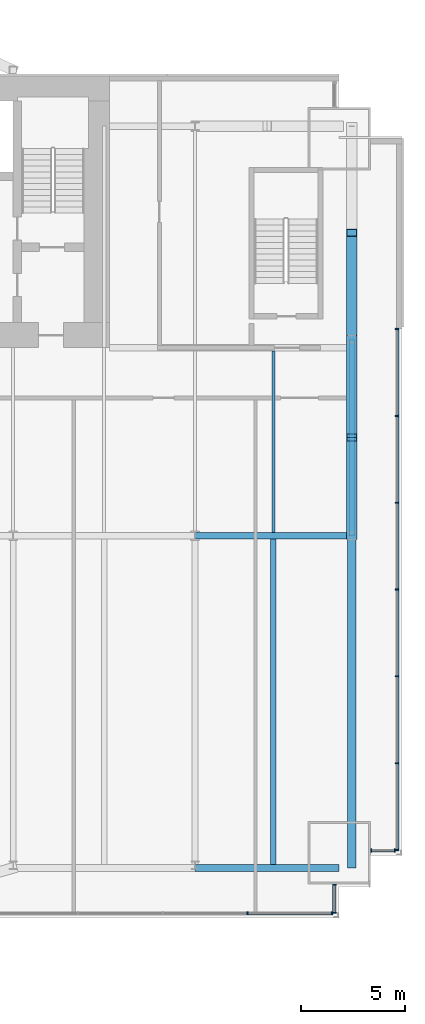
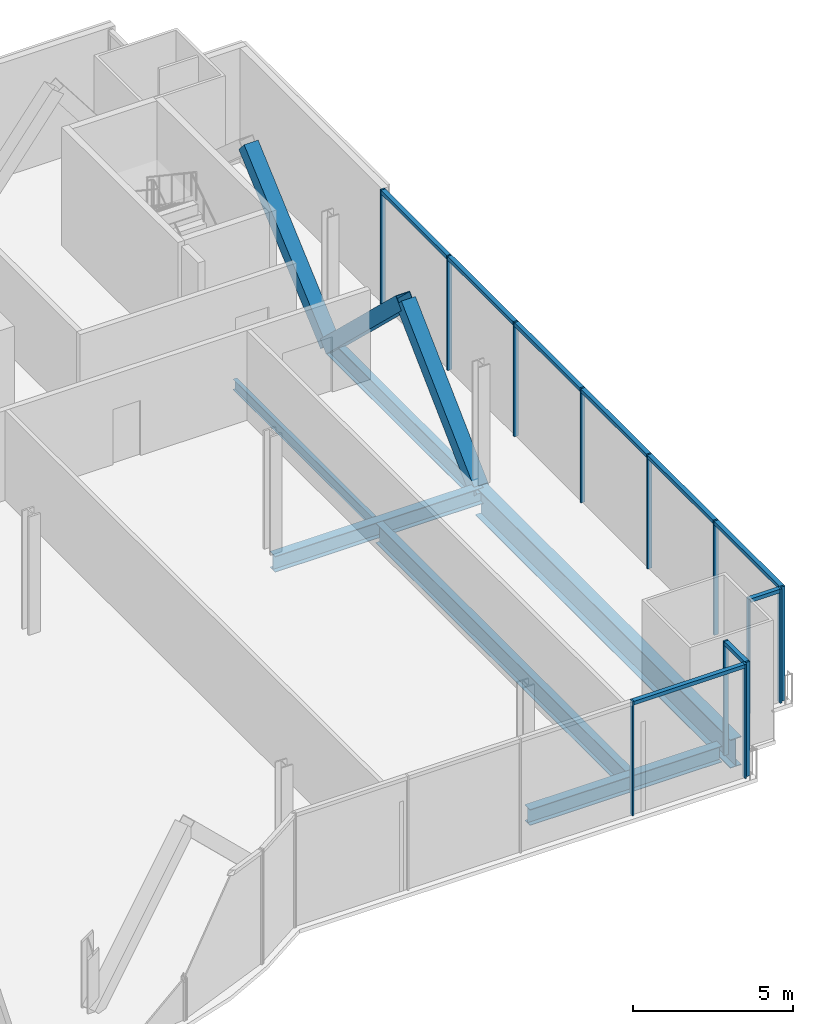
# One storey, part 12 of 21: 25 members, 6 beams, 4 elements without a shape of their own.
"""IFC4 building model written with IfcOpenShell, lengths in metres."""

import ifcopenshell
import ifcopenshell.guid

model = None  # the IFC model being written
_history = None  # IfcOwnerHistory: only IFC2X3 demands one
_inside = {}  # id of a spatial element -> (the spatial element, [elements in it])
_under = {}  # id of a project, library or spatial element -> (it, [spatial elements below it])
_declared = {}  # id of a project -> (the project, [libraries it declares])
_typed = {}  # id of a type object -> (the type object, [elements of that type])
_made_of = {}  # id of a material, layer set ... -> (it, [elements and type objects made of it])


def new_model(schema):
    """Start an empty IFC model of exactly this schema.

    Asked for "IFC4X3", IfcOpenShell would pick the latest addendum, in which some entities
    have other attributes; the version numbers below select the first issue.
    IFC2X3 requires an IfcOwnerHistory on every rooted entity: one is made here for all.
    """
    global model, _history
    if schema == "IFC4X3":
        model = ifcopenshell.file(schema_version=(4, 3, 0, 0))
    else:
        model = ifcopenshell.file(schema=schema)
    _inside.clear()
    _under.clear()
    _declared.clear()
    _typed.clear()
    _made_of.clear()
    _history = None
    if model.schema == "IFC2X3":
        org = make("IfcOrganization", Name="unknown")
        user = make(
            "IfcPersonAndOrganization",
            ThePerson=make("IfcPerson", FamilyName="unknown"),
            TheOrganization=org,
        )
        app = make(
            "IfcApplication",
            ApplicationDeveloper=org,
            Version="unknown",
            ApplicationFullName="unknown",
            ApplicationIdentifier="unknown",
        )
        _history = make(
            "IfcOwnerHistory",
            OwningUser=user,
            OwningApplication=app,
            ChangeAction="ADDED",
            CreationDate=0,
        )
    return model


def make(cls, **values):
    """One entity of the class cls with the attributes given. An attribute that is None is left unset."""
    return model.create_entity(
        cls, **{name: value for name, value in values.items() if value is not None}
    )


def rooted(cls, **values):
    """An entity with a GlobalId (a new one), such as an element, a storey or a relation."""
    return make(cls, GlobalId=ifcopenshell.guid.new(), OwnerHistory=_history, **values)


def si_unit(unit_type, name, prefix=None):
    """IfcSIUnit, for example si_unit("LENGTHUNIT", "METRE", prefix="MILLI")."""
    return make("IfcSIUnit", UnitType=unit_type, Prefix=prefix, Name=name)


def assignment(units):
    """IfcUnitAssignment: the units of a project."""
    return None if units is None else make("IfcUnitAssignment", Units=units)


def point(xyz):
    """IfcCartesianPoint."""
    return None if xyz is None else make("IfcCartesianPoint", Coordinates=xyz)


def direction(xyz):
    """IfcDirection."""
    return None if xyz is None else make("IfcDirection", DirectionRatios=xyz)


def frame(location, z_axis=None, x_axis=None):
    """IfcAxis2Placement3D, a coordinate frame: its origin and axes. An axis left out is left unset."""
    return make(
        "IfcAxis2Placement3D",
        Location=point(location),
        Axis=direction(z_axis),
        RefDirection=direction(x_axis),
    )


def frame_2d(location, x_axis=None):
    """IfcAxis2Placement2D, a coordinate frame in the plane: its origin and x axis."""
    return make(
        "IfcAxis2Placement2D", Location=point(location), RefDirection=direction(x_axis)
    )


def origin():
    """The frame at (0, 0, 0) with its axes left unset."""
    return frame((0.0, 0.0, 0.0))


def origin_2d():
    """The frame at (0, 0) in the plane with its x axis left unset."""
    return frame_2d((0.0, 0.0))


def place(relative_to, where):
    """IfcLocalPlacement: puts the frame where relative to a parent placement (None: the world)."""
    return make(
        "IfcLocalPlacement", PlacementRelTo=relative_to, RelativePlacement=where
    )


def context(
    kind, dimensions, precision=None, world=None, true_north=None, identifier=None
):
    """IfcGeometricRepresentationContext, for example the 3D "Model" context."""
    return make(
        "IfcGeometricRepresentationContext",
        ContextIdentifier=identifier,
        ContextType=kind,
        CoordinateSpaceDimension=dimensions,
        Precision=precision,
        WorldCoordinateSystem=world,
        TrueNorth=true_north,
    )


def subcontext(parent, identifier, kind, view, scale=None):
    """IfcGeometricRepresentationSubContext, for example "Body" below "Model"."""
    return make(
        "IfcGeometricRepresentationSubContext",
        ContextIdentifier=identifier,
        ContextType=kind,
        ParentContext=parent,
        TargetScale=scale,
        TargetView=view,
    )


def project(units=None, contexts=None):
    """IfcProject with its units and contexts."""
    return rooted(
        "IfcProject",
        Name="project",
        RepresentationContexts=contexts,
        UnitsInContext=assignment(units),
    )


def spatial(cls, under=None, at=None, **own):
    """A site, building, storey or space (cls), placed at a placement, below another one or the project."""
    s = rooted(cls, ObjectPlacement=at, **own)
    if under is not None:
        _under.setdefault(under.id(), (under, []))[1].append(s)
    return s


def profile(cls, at=None, kind="AREA", **sizes):
    """A parametric profile (cls). Its sizes go by their IFC names, for example OverallWidth=200.0."""
    return make(cls, ProfileType=kind, Position=at, **sizes)


def rectangle(**sizes):
    """IfcRectangleProfileDef."""
    return profile("IfcRectangleProfileDef", **sizes)


def hollow_rectangle(**sizes):
    """IfcRectangleHollowProfileDef."""
    return profile("IfcRectangleHollowProfileDef", **sizes)


def i_section(**sizes):
    """IfcIShapeProfileDef."""
    return profile("IfcIShapeProfileDef", **sizes)


def extrude(swept, where, along, depth):
    """IfcExtrudedAreaSolid: the profile swept, set in the frame where, extruded along a direction by depth."""
    return make(
        "IfcExtrudedAreaSolid",
        SweptArea=swept,
        Position=where,
        ExtrudedDirection=direction(along),
        Depth=depth,
    )


def shape(context_of_items, identifier, shape_type, items):
    """IfcShapeRepresentation: the items that make up one representation, for example the "Body"."""
    return make(
        "IfcShapeRepresentation",
        ContextOfItems=context_of_items,
        RepresentationIdentifier=identifier,
        RepresentationType=shape_type,
        Items=items,
    )


def material(Name=None, Category=None):
    """IfcMaterial."""
    return make("IfcMaterial", Name=Name, Category=Category)


def material_profile(
    of_material, cross_section, Name=None, Category=None, Priority=None
):
    """IfcMaterialProfile: a cross section and its material."""
    return make(
        "IfcMaterialProfile",
        Name=Name,
        Material=of_material,
        Profile=cross_section,
        Priority=Priority,
        Category=Category,
    )


def profile_set(profiles, Name=None, composite=None):
    """IfcMaterialProfileSet."""
    return make(
        "IfcMaterialProfileSet",
        Name=Name,
        MaterialProfiles=profiles,
        CompositeProfile=composite,
    )


def made_of(thing, what):
    """Note that an element or type object is made of a material, layer set ...; save() writes the relation."""
    if what is not None:
        _made_of.setdefault(what.id(), (what, []))[1].append(thing)
    return thing


def type_object(cls, material=None, **own):
    """A type object (cls), such as IfcWallType, which elements share."""
    return made_of(rooted(cls, **own), material)


def element(
    cls,
    number,
    at=None,
    inside=None,
    cuts=None,
    type_object=None,
    material=None,
    context=None,
    identifier="Body",
    shape_type=None,
    held_by="IfcProductDefinitionShape",
    body=None,
    shapes=None,
    **own,
):
    """One element of the class cls, such as IfcWall. Its Tag is "e" and its number.

    at: its placement. inside: the storey or other place that contains it. cuts: it is an
    opening in that element (IfcRelVoidsElement). A single representation is given by context,
    identifier, shape_type and body (its items); several are given by shapes. held_by: the class
    of the entity that holds the representations. save() writes the other relations.
    """
    e = rooted(cls, Tag="e%d" % number, ObjectPlacement=at, **own)
    if body is not None:
        shapes = [shape(context, identifier, shape_type, body)]
    if shapes is not None:
        e.Representation = make(held_by, Representations=shapes)
    if inside is not None:
        _inside.setdefault(inside.id(), (inside, []))[1].append(e)
    if cuts is not None:
        rooted(
            "IfcRelVoidsElement", RelatingBuildingElement=cuts, RelatedOpeningElement=e
        )
    if type_object is not None:
        _typed.setdefault(type_object.id(), (type_object, []))[1].append(e)
    return made_of(e, material)


def aggregate(whole, parts):
    """IfcRelAggregates: a whole, such as a stair, and the parts it consists of."""
    return rooted("IfcRelAggregates", RelatingObject=whole, RelatedObjects=parts)


def save(model, path):
    """Write the relations noted so far, then the file.

    IfcRelAggregates (storeys below a building ...), IfcRelContainedInSpatialStructure (elements
    in a storey), IfcRelDefinesByType, IfcRelAssociatesMaterial and IfcRelDeclares: one each for
    every whole, place, type object, material and project.
    """
    for whole, parts in _under.values():
        aggregate(whole, parts)
    for where, things in _inside.values():
        rooted(
            "IfcRelContainedInSpatialStructure",
            RelatedElements=things,
            RelatingStructure=where,
        )
    for kind, things in _typed.values():
        rooted("IfcRelDefinesByType", RelatedObjects=things, RelatingType=kind)
    for what, things in _made_of.values():
        rooted("IfcRelAssociatesMaterial", RelatedObjects=things, RelatingMaterial=what)
    for by, libraries in _declared.values():
        rooted("IfcRelDeclares", RelatingContext=by, RelatedDefinitions=libraries)
    model.write(path)


model = new_model("IFC4")

# Units and contexts
model_context = context("Model", 3, precision=1e-05, world=origin(), true_north=direction((0.0, 1.0)))
body_context = subcontext(model_context, "Body", "Model", "MODEL_VIEW")
ifc_project = project(units=[si_unit("LENGTHUNIT", "METRE"), si_unit("AREAUNIT", "SQUARE_METRE"), si_unit("VOLUMEUNIT", "CUBIC_METRE"), si_unit("PLANEANGLEUNIT", "RADIAN"), si_unit("MASSUNIT", "GRAM", prefix="KILO")], contexts=[model_context])

# Site, building, storey
site_placement = place(None, origin())
site = spatial("IfcSite", under=ifc_project, at=site_placement, CompositionType="ELEMENT")
building_placement = place(site_placement, origin())
building = spatial("IfcBuilding", under=site, at=building_placement, Name="Bicima Exchange Tower", CompositionType="ELEMENT")
storey_placement = place(building_placement, frame((0.0, 0.0, 66.5)))
storey = spatial("IfcBuildingStorey", under=building, at=storey_placement, Name="L13", CompositionType="ELEMENT", Elevation=66.5)

# Curtain wall, members
ifc_material_1 = material(Name="Anodised bronze aluminium", Category="aluminium")
curtain_wall_type_1 = type_object("IfcCurtainWallType", Name="End face glass wall", PredefinedType="NOTDEFINED", material=ifc_material_1)
curtain_wall_1_placement = place(storey_placement, origin())
curtain_wall_1 = element("IfcCurtainWall", 1, at=curtain_wall_1_placement, inside=storey, type_object=curtain_wall_type_1, Name="End face glass wall L13 run 19", PredefinedType="NOTDEFINED")
ifc_material_profile_1 = material_profile(ifc_material_1, rectangle(XDim=0.159912109375, YDim=0.06005859375, at=origin_2d()))
ifc_profile_set_1 = profile_set([ifc_material_profile_1], Name="Anodised bronze aluminium")
member_type_1 = type_object("IfcMemberType", Name="End face glass wall mullion 60 x 160", PredefinedType="MULLION", material=ifc_profile_set_1)
member_1_placement = place(storey_placement, frame((35.77001953125, -37.031982421875, 0.0), z_axis=(0.0, 0.0, 1.0), x_axis=(-1.0, 0.0, 0.0)))
member_1 = element("IfcMember", 2, at=member_1_placement, type_object=member_type_1, Name="End face glass wall mullion 1", PredefinedType="MULLION", context=body_context, shape_type="SweptSolid", body=[
    extrude(rectangle(XDim=0.159912109375, YDim=0.06005859375, at=origin_2d()), origin(), (0.0, 0.0, 1.0), 4.35009765625),
])
member_2_placement = place(storey_placement, frame((35.77001953125, -32.87841796875, 0.0), z_axis=(0.0, 0.0, 1.0), x_axis=(-1.0, 0.0, 0.0)))
member_2 = element("IfcMember", 3, at=member_2_placement, type_object=member_type_1, Name="End face glass wall mullion 2", PredefinedType="MULLION", context=body_context, shape_type="SweptSolid", body=[
    extrude(rectangle(XDim=0.159912109375, YDim=0.06005859375, at=origin_2d()), origin(), (0.0, 0.0, 1.0), 4.35009765625),
])
member_3_placement = place(storey_placement, frame((35.77001953125, -28.724609375, 0.0), z_axis=(0.0, 0.0, 1.0), x_axis=(-1.0, 0.0, 0.0)))
member_3 = element("IfcMember", 4, at=member_3_placement, type_object=member_type_1, Name="End face glass wall mullion 3", PredefinedType="MULLION", context=body_context, shape_type="SweptSolid", body=[
    extrude(rectangle(XDim=0.159912109375, YDim=0.06005859375, at=origin_2d()), origin(), (0.0, 0.0, 1.0), 4.35009765625),
])
member_4_placement = place(storey_placement, frame((35.77001953125, -24.571044921875, 0.0), z_axis=(0.0, 0.0, 1.0), x_axis=(-1.0, 0.0, 0.0)))
member_4 = element("IfcMember", 5, at=member_4_placement, type_object=member_type_1, Name="End face glass wall mullion 4", PredefinedType="MULLION", context=body_context, shape_type="SweptSolid", body=[
    extrude(rectangle(XDim=0.159912109375, YDim=0.06005859375, at=origin_2d()), origin(), (0.0, 0.0, 1.0), 4.35009765625),
])
member_5_placement = place(storey_placement, frame((35.77001953125, -20.417236328125, 0.0), z_axis=(0.0, 0.0, 1.0), x_axis=(-1.0, 0.0, 0.0)))
member_5 = element("IfcMember", 6, at=member_5_placement, type_object=member_type_1, Name="End face glass wall mullion 5", PredefinedType="MULLION", context=body_context, shape_type="SweptSolid", body=[
    extrude(rectangle(XDim=0.159912109375, YDim=0.06005859375, at=origin_2d()), origin(), (0.0, 0.0, 1.0), 4.35009765625),
])
member_6_placement = place(storey_placement, frame((35.77001953125, -16.263671875, 0.0), z_axis=(0.0, 0.0, 1.0), x_axis=(-1.0, 0.0, 0.0)))
member_6 = element("IfcMember", 7, at=member_6_placement, type_object=member_type_1, Name="End face glass wall mullion 6", PredefinedType="MULLION", context=body_context, shape_type="SweptSolid", body=[
    extrude(rectangle(XDim=0.159912109375, YDim=0.06005859375, at=origin_2d()), origin(), (0.0, 0.0, 1.0), 4.35009765625),
])
member_7_placement = place(storey_placement, frame((35.77001953125, -12.110107421875, 0.0), z_axis=(0.0, 0.0, 1.0), x_axis=(-1.0, 0.0, 0.0)))
member_7 = element("IfcMember", 8, at=member_7_placement, type_object=member_type_1, Name="End face glass wall mullion 7", PredefinedType="MULLION", context=body_context, shape_type="SweptSolid", body=[
    extrude(rectangle(XDim=0.159912109375, YDim=0.06005859375, at=origin_2d()), origin(), (0.0, 0.0, 1.0), 4.35009765625),
])
ifc_material_profile_2 = material_profile(ifc_material_1, rectangle(XDim=0.159912109375, YDim=0.139892578125, at=origin_2d()))
ifc_profile_set_2 = profile_set([ifc_material_profile_2], Name="Anodised bronze aluminium")
member_type_2 = type_object("IfcMemberType", Name="End face glass wall transom 140 x 160", PredefinedType="USERDEFINED", material=ifc_profile_set_2)
member_8_placement = place(storey_placement, frame((35.77001953125, -37.001953125, 4.280029296875), z_axis=(0.0, 1.0, 0.0), x_axis=(-1.0, 0.0, 0.0)))
member_8 = element("IfcMember", 9, at=member_8_placement, type_object=member_type_2, Name="End face glass wall transom 1.1", ObjectType="TRANSOM", PredefinedType="USERDEFINED", context=body_context, shape_type="SweptSolid", body=[
    extrude(rectangle(XDim=0.159912109375, YDim=0.139892578125, at=origin_2d()), origin(), (0.0, 0.0, 1.0), 4.09375),
])
member_9_placement = place(storey_placement, frame((35.77001953125, -32.848388671875, 4.280029296875), z_axis=(0.0, 1.0, 0.0), x_axis=(-1.0, 0.0, 0.0)))
member_9 = element("IfcMember", 10, at=member_9_placement, type_object=member_type_2, Name="End face glass wall transom 2.1", ObjectType="TRANSOM", PredefinedType="USERDEFINED", context=body_context, shape_type="SweptSolid", body=[
    extrude(rectangle(XDim=0.159912109375, YDim=0.139892578125, at=origin_2d()), origin(), (0.0, 0.0, 1.0), 4.09375),
])
member_10_placement = place(storey_placement, frame((35.77001953125, -28.694580078125, 4.280029296875), z_axis=(0.0, 1.0, 0.0), x_axis=(-1.0, 0.0, 0.0)))
member_10 = element("IfcMember", 11, at=member_10_placement, type_object=member_type_2, Name="End face glass wall transom 3.1", ObjectType="TRANSOM", PredefinedType="USERDEFINED", context=body_context, shape_type="SweptSolid", body=[
    extrude(rectangle(XDim=0.159912109375, YDim=0.139892578125, at=origin_2d()), origin(), (0.0, 0.0, 1.0), 4.093505859375),
])
member_11_placement = place(storey_placement, frame((35.77001953125, -24.541015625, 4.280029296875), z_axis=(0.0, 1.0, 0.0), x_axis=(-1.0, 0.0, 0.0)))
member_11 = element("IfcMember", 12, at=member_11_placement, type_object=member_type_2, Name="End face glass wall transom 4.1", ObjectType="TRANSOM", PredefinedType="USERDEFINED", context=body_context, shape_type="SweptSolid", body=[
    extrude(rectangle(XDim=0.159912109375, YDim=0.139892578125, at=origin_2d()), origin(), (0.0, 0.0, 1.0), 4.09375),
])
member_12_placement = place(storey_placement, frame((35.77001953125, -20.38720703125, 4.280029296875), z_axis=(0.0, 1.0, 0.0), x_axis=(-1.0, 0.0, 0.0)))
member_12 = element("IfcMember", 13, at=member_12_placement, type_object=member_type_2, Name="End face glass wall transom 5.1", ObjectType="TRANSOM", PredefinedType="USERDEFINED", context=body_context, shape_type="SweptSolid", body=[
    extrude(rectangle(XDim=0.159912109375, YDim=0.139892578125, at=origin_2d()), origin(), (0.0, 0.0, 1.0), 4.093505859375),
])
member_13_placement = place(storey_placement, frame((35.77001953125, -16.233642578125, 4.280029296875), z_axis=(0.0, 1.0, 0.0), x_axis=(-1.0, 0.0, 0.0)))
member_13 = element("IfcMember", 14, at=member_13_placement, type_object=member_type_2, Name="End face glass wall transom 6.1", ObjectType="TRANSOM", PredefinedType="USERDEFINED", context=body_context, shape_type="SweptSolid", body=[
    extrude(rectangle(XDim=0.159912109375, YDim=0.139892578125, at=origin_2d()), origin(), (0.0, 0.0, 1.0), 4.09375),
])
aggregate(curtain_wall_1, [member_1, member_2, member_3, member_4, member_5, member_6, member_7, member_8, member_9, member_10, member_11, member_12, member_13])

# Beams
ifc_material_2 = material(Name="Steel ASTM A992 Gr 50", Category="steel")
ifc_material_profile_3 = material_profile(ifc_material_2, i_section(OverallWidth=0.256591796875, OverallDepth=0.693359375, WebThickness=0.014404296875, FlangeThickness=0.023681640625, at=origin_2d()))
ifc_profile_set_3 = profile_set([ifc_material_profile_3], Name="Steel ASTM A992 Gr 50")
beam_type_1 = type_object("IfcBeamType", Name="End girder W27x114", PredefinedType="BEAM", material=ifc_profile_set_3)
beam_1_placement = place(storey_placement, frame((33.60009765625, -12.60009765625, -0.49658203125), z_axis=(0.0, -1.0, 0.0), x_axis=(1.0, 0.0, 0.0)))
element("IfcBeam", 15, at=beam_1_placement, inside=storey, type_object=beam_type_1, Name="End girder", PredefinedType="BEAM", context=body_context, shape_type="SweptSolid", body=[
    extrude(i_section(OverallWidth=0.256591796875, OverallDepth=0.693359375, WebThickness=0.014404296875, FlangeThickness=0.023681640625, at=origin_2d()), origin(), (0.0, 0.0, 1.0), 9.39990234375),
])
ifc_material_profile_4 = material_profile(ifc_material_2, i_section(OverallWidth=0.4013671875, OverallDepth=1.089599609375, WebThickness=0.01806640625, FlangeThickness=0.031005859375, at=origin_2d()))
ifc_profile_set_4 = profile_set([ifc_material_profile_4], Name="Steel ASTM A992 Gr 50")
beam_type_2 = type_object("IfcBeamType", Name="End girder W44x230", PredefinedType="BEAM", material=ifc_profile_set_4)
beam_2_placement = place(storey_placement, frame((33.60009765625, -22.0, -0.69482421875), z_axis=(0.0, -1.0, 0.0), x_axis=(1.0, 0.0, 0.0)))
element("IfcBeam", 16, at=beam_2_placement, inside=storey, type_object=beam_type_2, Name="End girder", PredefinedType="BEAM", context=body_context, shape_type="SweptSolid", body=[
    extrude(i_section(OverallWidth=0.4013671875, OverallDepth=1.089599609375, WebThickness=0.01806640625, FlangeThickness=0.031005859375, at=origin_2d()), origin(), (0.0, 0.0, 1.0), 15.89208984375),
])
ifc_material_profile_5 = material_profile(ifc_material_2, i_section(OverallWidth=0.140380859375, OverallDepth=0.40380859375, WebThickness=0.007080078125, FlangeThickness=0.01123046875, at=origin_2d()))
ifc_profile_set_5 = profile_set([ifc_material_profile_5], Name="Steel ASTM A992 Gr 50")
beam_type_3 = type_object("IfcBeamType", Name="Floor beam W16x31", PredefinedType="JOIST", material=ifc_profile_set_5)
beam_3_placement = place(storey_placement, frame((29.85009765625, -13.15234375, -0.351806640625), z_axis=(0.0, -1.0, 0.0), x_axis=(1.0, 0.0, 0.0)))
element("IfcBeam", 17, at=beam_3_placement, inside=storey, type_object=beam_type_3, Name="Floor beam", PredefinedType="JOIST", context=body_context, shape_type="SweptSolid", body=[
    extrude(i_section(OverallWidth=0.140380859375, OverallDepth=0.40380859375, WebThickness=0.007080078125, FlangeThickness=0.01123046875, at=origin_2d()), origin(), (0.0, 0.0, 1.0), 8.68505859375),
])
ifc_material_profile_6 = material_profile(ifc_material_2, i_section(OverallWidth=0.2666015625, OverallDepth=0.75439453125, WebThickness=0.01318359375, FlangeThickness=0.01708984375, at=origin_2d()))
ifc_profile_set_6 = profile_set([ifc_material_profile_6], Name="Steel ASTM A992 Gr 50")
beam_type_4 = type_object("IfcBeamType", Name="Floor beam W30x99", PredefinedType="JOIST", material=ifc_profile_set_6)
beam_4_placement = place(storey_placement, frame((29.85009765625, -22.16259765625, -0.527099609375), z_axis=(0.0, -1.0, 0.0), x_axis=(1.0, 0.0, 0.0)))
element("IfcBeam", 18, at=beam_4_placement, inside=storey, type_object=beam_type_4, Name="Floor beam", PredefinedType="JOIST", context=body_context, shape_type="SweptSolid", body=[
    extrude(i_section(OverallWidth=0.2666015625, OverallDepth=0.75439453125, WebThickness=0.01318359375, FlangeThickness=0.01708984375, at=origin_2d()), origin(), (0.0, 0.0, 1.0), 15.56689453125),
])
ifc_material_profile_7 = material_profile(ifc_material_2, i_section(OverallWidth=0.3251953125, OverallDepth=0.612060546875, WebThickness=0.0126953125, FlangeThickness=0.01904296875, at=origin_2d()))
ifc_profile_set_7 = profile_set([ifc_material_profile_7], Name="Steel ASTM A992 Gr 50")
beam_type_5 = type_object("IfcBeamType", Name="Front girder W24x104", PredefinedType="BEAM", material=ifc_profile_set_7)
beam_5_placement = place(storey_placement, frame((26.10009765625, -37.89208984375, -0.4560546875), z_axis=(1.0, 0.0, 0.0), x_axis=(0.0, 1.0, 0.0)))
element("IfcBeam", 19, at=beam_5_placement, inside=storey, type_object=beam_type_5, Name="Front girder", PredefinedType="BEAM", context=body_context, shape_type="SweptSolid", body=[
    extrude(i_section(OverallWidth=0.3251953125, OverallDepth=0.612060546875, WebThickness=0.0126953125, FlangeThickness=0.01904296875, at=origin_2d()), origin(), (0.0, 0.0, 1.0), 6.89990234375),
])

# Curtain wall, members
curtain_wall_type_2 = type_object("IfcCurtainWallType", Name="Front glass wall", PredefinedType="NOTDEFINED", material=ifc_material_1)
curtain_wall_2_placement = place(storey_placement, origin())
curtain_wall_2 = element("IfcCurtainWall", 20, at=curtain_wall_2_placement, inside=storey, type_object=curtain_wall_type_2, Name="Front glass wall L13 run 16", PredefinedType="NOTDEFINED")
member_type_3 = type_object("IfcMemberType", Name="Front glass wall mullion 60 x 160", PredefinedType="MULLION", material=ifc_profile_set_1)
member_14_placement = place(storey_placement, frame((28.610595703125, -40.06201171875, 0.0), z_axis=(0.0, 0.0, 1.0), x_axis=(0.0, 1.0, 0.0)))
member_14 = element("IfcMember", 21, at=member_14_placement, type_object=member_type_3, Name="Front glass wall mullion 4", PredefinedType="MULLION", context=body_context, shape_type="SweptSolid", body=[
    extrude(rectangle(XDim=0.159912109375, YDim=0.06005859375, at=origin_2d()), origin(), (0.0, 0.0, 1.0), 4.35009765625),
])
member_15_placement = place(storey_placement, frame((32.659912109375, -40.06201171875, 0.0), z_axis=(0.0, 0.0, 1.0), x_axis=(0.0, 1.0, 0.0)))
member_15 = element("IfcMember", 22, at=member_15_placement, type_object=member_type_3, Name="Front glass wall mullion 5", PredefinedType="MULLION", context=body_context, shape_type="SweptSolid", body=[
    extrude(rectangle(XDim=0.159912109375, YDim=0.06005859375, at=origin_2d()), origin(), (0.0, 0.0, 1.0), 4.35009765625),
])

curtain_wall_3_placement = place(storey_placement, origin())
curtain_wall_3 = element("IfcCurtainWall", 23, at=curtain_wall_3_placement, inside=storey, type_object=curtain_wall_type_2, Name="Front glass wall L13 run 17", PredefinedType="NOTDEFINED")
member_16_placement = place(storey_placement, frame((32.77001953125, -40.031982421875, 0.0), z_axis=(0.0, 0.0, 1.0), x_axis=(-1.0, 0.0, 0.0)))
member_16 = element("IfcMember", 24, at=member_16_placement, type_object=member_type_3, Name="Front glass wall mullion 1", PredefinedType="MULLION", context=body_context, shape_type="SweptSolid", body=[
    extrude(rectangle(XDim=0.159912109375, YDim=0.06005859375, at=origin_2d()), origin(), (0.0, 0.0, 1.0), 4.35009765625),
])
member_17_placement = place(storey_placement, frame((32.77001953125, -38.699951171875, 0.0), z_axis=(0.0, 0.0, 1.0), x_axis=(-1.0, 0.0, 0.0)))
member_17 = element("IfcMember", 25, at=member_17_placement, type_object=member_type_3, Name="Front glass wall mullion 2", PredefinedType="MULLION", context=body_context, shape_type="SweptSolid", body=[
    extrude(rectangle(XDim=0.159912109375, YDim=0.06005859375, at=origin_2d()), origin(), (0.0, 0.0, 1.0), 4.35009765625),
])

curtain_wall_4_placement = place(storey_placement, origin())
curtain_wall_4 = element("IfcCurtainWall", 26, at=curtain_wall_4_placement, inside=storey, type_object=curtain_wall_type_2, Name="Front glass wall L13 run 18", PredefinedType="NOTDEFINED")
member_18_placement = place(storey_placement, frame((34.530029296875, -37.06201171875, 0.0), z_axis=(0.0, 0.0, 1.0), x_axis=(0.0, 1.0, 0.0)))
member_18 = element("IfcMember", 27, at=member_18_placement, type_object=member_type_3, Name="Front glass wall mullion 1", PredefinedType="MULLION", context=body_context, shape_type="SweptSolid", body=[
    extrude(rectangle(XDim=0.159912109375, YDim=0.06005859375, at=origin_2d()), origin(), (0.0, 0.0, 1.0), 4.35009765625),
])
member_19_placement = place(storey_placement, frame((35.659912109375, -37.06201171875, 0.0), z_axis=(0.0, 0.0, 1.0), x_axis=(0.0, 1.0, 0.0)))
member_19 = element("IfcMember", 28, at=member_19_placement, type_object=member_type_3, Name="Front glass wall mullion 2", PredefinedType="MULLION", context=body_context, shape_type="SweptSolid", body=[
    extrude(rectangle(XDim=0.159912109375, YDim=0.06005859375, at=origin_2d()), origin(), (0.0, 0.0, 1.0), 4.35009765625),
])

# Member
member_type_4 = type_object("IfcMemberType", Name="Front glass wall transom 140 x 160", PredefinedType="USERDEFINED", material=ifc_profile_set_2)
member_20_placement = place(storey_placement, frame((28.640380859375, -40.06201171875, 4.280029296875), z_axis=(1.0, 0.0, 0.0), x_axis=(0.0, 1.0, 0.0)))
member_20 = element("IfcMember", 29, at=member_20_placement, type_object=member_type_4, Name="Front glass wall transom 4.1", ObjectType="TRANSOM", PredefinedType="USERDEFINED", context=body_context, shape_type="SweptSolid", body=[
    extrude(rectangle(XDim=0.159912109375, YDim=0.139892578125, at=origin_2d()), origin(), (0.0, 0.0, 1.0), 3.989501953125),
])

aggregate(curtain_wall_2, [member_14, member_15, member_20])

member_21_placement = place(storey_placement, frame((32.77001953125, -40.001953125, 4.280029296875), z_axis=(0.0, 1.0, 0.0), x_axis=(-1.0, 0.0, 0.0)))
member_21 = element("IfcMember", 30, at=member_21_placement, type_object=member_type_4, Name="Front glass wall transom 1.1", ObjectType="TRANSOM", PredefinedType="USERDEFINED", context=body_context, shape_type="SweptSolid", body=[
    extrude(rectangle(XDim=0.159912109375, YDim=0.139892578125, at=origin_2d()), origin(), (0.0, 0.0, 1.0), 1.27197265625),
])

aggregate(curtain_wall_3, [member_16, member_17, member_21])

member_22_placement = place(storey_placement, frame((34.56005859375, -37.06201171875, 4.280029296875), z_axis=(1.0, 0.0, 0.0), x_axis=(0.0, 1.0, 0.0)))
member_22 = element("IfcMember", 31, at=member_22_placement, type_object=member_type_4, Name="Front glass wall transom 1.1", ObjectType="TRANSOM", PredefinedType="USERDEFINED", context=body_context, shape_type="SweptSolid", body=[
    extrude(rectangle(XDim=0.159912109375, YDim=0.139892578125, at=origin_2d()), origin(), (0.0, 0.0, 1.0), 1.06982421875),
])

aggregate(curtain_wall_4, [member_18, member_19, member_22])

# Members
ifc_material_3 = material(Name="Steel ASTM A572 Gr 50", Category="steel")
ifc_material_profile_8 = material_profile(ifc_material_3, hollow_rectangle(XDim=0.508056640625, YDim=0.508056640625, WallThickness=0.017822265625, at=origin_2d()))
ifc_profile_set_8 = profile_set([ifc_material_profile_8], Name="Steel ASTM A572 Gr 50")
member_type_5 = type_object("IfcMemberType", Name="Mega brace HSS20x20x3/4", PredefinedType="BRACE", material=ifc_profile_set_8)
member_23_placement = place(storey_placement, frame((33.60009765625, -12.60009765625, -0.49658203125), z_axis=(0.0, 0.749844140428, 0.661614513948), x_axis=(-1.0, 0.0, 0.0)))
element("IfcMember", 32, at=member_23_placement, inside=storey, type_object=member_type_5, Name="Mega brace east end", PredefinedType="BRACE", context=body_context, shape_type="SweptSolid", body=[
    extrude(hollow_rectangle(XDim=0.508056640625, YDim=0.508056640625, WallThickness=0.017822265625, at=origin_2d()), origin(), (0.0, 0.0, 1.0), 6.801513671875),
])
for number, where, z_axis, x_axis, name in (
    (33, (33.60009765625, -12.60009765625, -0.49658203125), (0.0, -0.722304421208, 0.691575247608), (1.0, 0.0, 0.0), "Mega brace east end"),
    (34, (33.60009765625, -22.0, -0.49658203125), (0.0, 0.722304421208, 0.691575247608), (-1.0, 0.0, 0.0), "Mega brace east end"),
):
    element("IfcMember", number, at=place(storey_placement, frame(where, z_axis=z_axis, x_axis=x_axis)), inside=storey, type_object=member_type_5, Name=name, PredefinedType="BRACE", context=body_context, shape_type="SweptSolid", body=[
        extrude(hollow_rectangle(XDim=0.508056640625, YDim=0.508056640625, WallThickness=0.017822265625, at=origin_2d()), origin(), (0.0, 0.0, 1.0), 6.5068359375),
    ])

# Beam
beam_type_6 = type_object("IfcBeamType", Name="Row girder W24x104", PredefinedType="BEAM", material=ifc_profile_set_7)
beam_6_placement = place(storey_placement, frame((26.10009765625, -22.0, -0.4560546875), z_axis=(1.0, 0.0, 0.0), x_axis=(0.0, 1.0, 0.0)))
element("IfcBeam", 35, at=beam_6_placement, inside=storey, type_object=beam_type_6, Name="Row girder", PredefinedType="BEAM", context=body_context, shape_type="SweptSolid", body=[
    extrude(i_section(OverallWidth=0.3251953125, OverallDepth=0.612060546875, WebThickness=0.0126953125, FlangeThickness=0.01904296875, at=origin_2d()), origin(), (0.0, 0.0, 1.0), 7.5),
])

save(model, "model.ifc")
